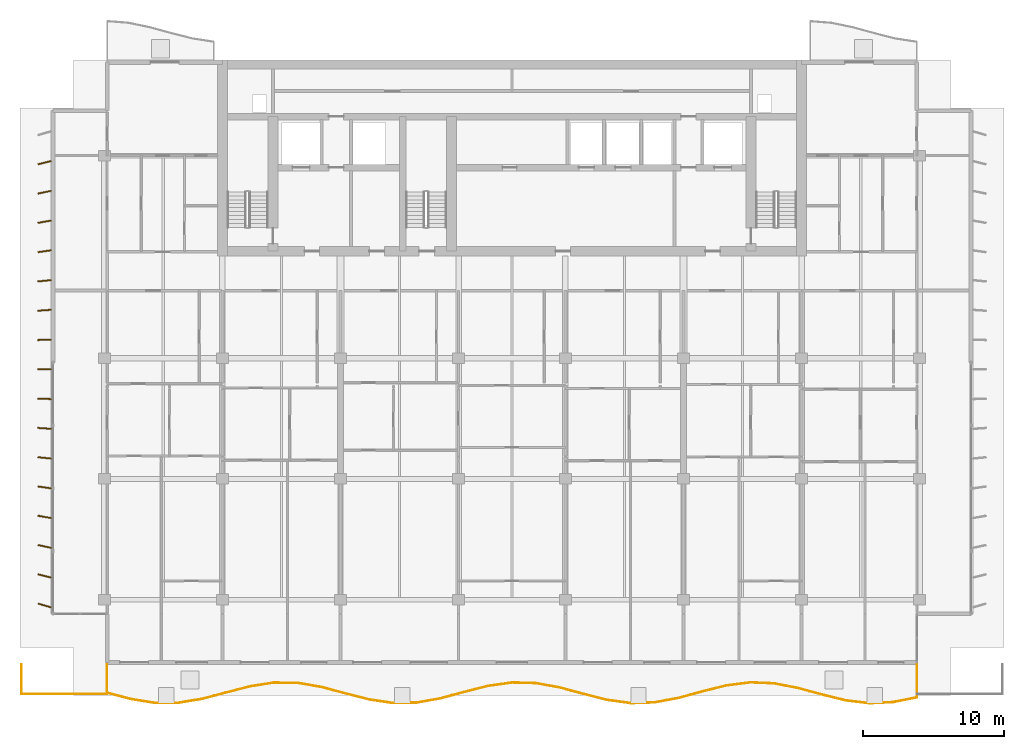
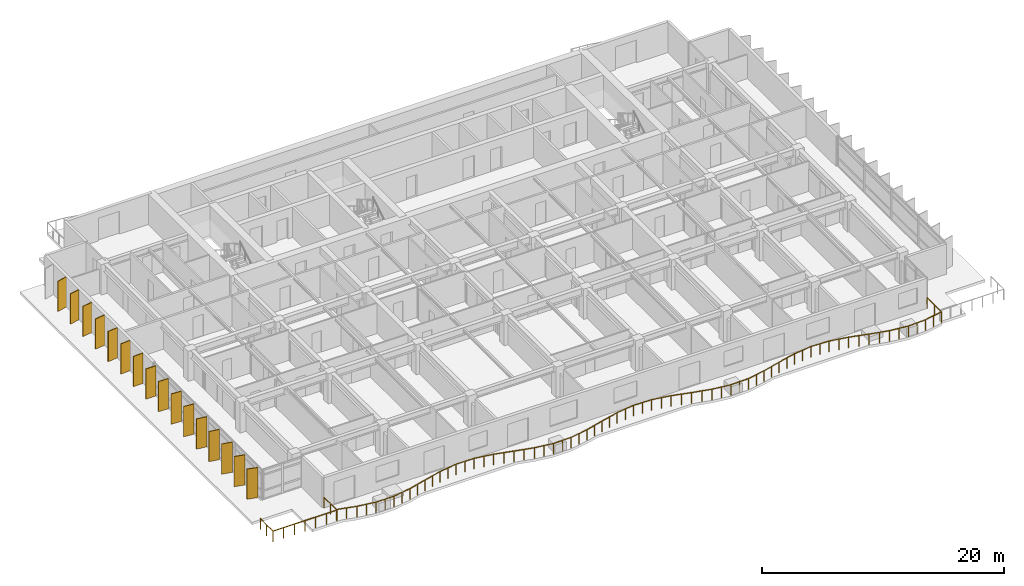
# One storey, part 14 of 17: 16 shading devices, 2 railings.
"""IFC4 building model written with IfcOpenShell, lengths in metres."""

from ifc_helpers import new_model, si_unit, direction, frame, origin, origin_2d, place, context, subcontext, project, spatial, rectangle, circle, extrude, material, material_profile, profile_set, type_object, element, save


model = new_model("IFC4")

# Units and contexts
model_context = context("Model", 3, precision=1e-05, world=origin(), true_north=direction((0.0, 1.0)))
body_context = subcontext(model_context, "Body", "Model", "MODEL_VIEW")
ifc_project = project(units=[si_unit("LENGTHUNIT", "METRE"), si_unit("AREAUNIT", "SQUARE_METRE"), si_unit("VOLUMEUNIT", "CUBIC_METRE"), si_unit("PLANEANGLEUNIT", "RADIAN"), si_unit("MASSUNIT", "GRAM", prefix="KILO")], contexts=[model_context])

# Site, building, storey
site_placement = place(None, origin())
site = spatial("IfcSite", under=ifc_project, at=site_placement, CompositionType="ELEMENT")
building_placement = place(site_placement, origin())
building = spatial("IfcBuilding", under=site, at=building_placement, Name="Caelmar Bay Residences", CompositionType="ELEMENT")
storey_placement = place(building_placement, frame((0.0, 0.0, 157.199951171875)))
storey = spatial("IfcBuildingStorey", under=building, at=storey_placement, Name="L43", CompositionType="ELEMENT", Elevation=157.199951171875)

# Railings
ifc_material_1 = material(Name="Anodised bronze handrail with laminated hurricane glass infill", Category="glass")
railing_type = type_object("IfcRailingType", Name="RL-BAL-1100", PredefinedType="BALUSTRADE", material=ifc_material_1)
railing_1_placement = place(storey_placement, frame((10.10009765625, 7.60009765625, 0.0)))
element("IfcRailing", 1, at=railing_1_placement, inside=storey, type_object=railing_type, Name="L43 south Balcony Balustrade", PredefinedType="BALUSTRADE", context=body_context, shape_type="SweptSolid", body=[
    extrude(circle(Radius=0.02392578125, at=origin_2d()), frame((0.0, 0.0, 1.076171875), z_axis=(0.0, -1.0, 0.0), x_axis=(1.0, 0.0, 0.0)), (0.0, 0.0, 1.0), 2.02001953125),
    extrude(circle(Radius=0.02392578125, at=origin_2d()), frame((0.0, -2.02001953125, 1.076171875), z_axis=(0.967316068749, -0.253573703567, 0.0), x_axis=(0.253573703567, 0.967316068749, 0.0)), (0.0, 0.0, 1.0), 1.751220703125),
    extrude(circle(Radius=0.02392578125, at=origin_2d()), frame((1.694091796875, -2.464111328125, 1.076171875), z_axis=(0.987379289036, -0.158373418172, 0.0), x_axis=(0.158373418172, 0.987379289036, 0.0)), (0.0, 0.0, 1.0), 1.7158203125),
    extrude(circle(Radius=0.02392578125, at=origin_2d()), frame((3.38818359375, -2.73583984375, 1.076171875), z_axis=(0.999992980303, 0.003746911297, 0.0), x_axis=(-0.003746911297, 0.999992980303, 0.0)), (0.0, 0.0, 1.0), 1.694091796875),
    extrude(circle(Radius=0.02392578125, at=origin_2d()), frame((5.082275390625, -2.7294921875, 1.076171875), z_axis=(0.98647449258, 0.163914842188, 0.0), x_axis=(-0.163914842188, 0.98647449258, 0.0)), (0.0, 0.0, 1.0), 1.71728515625),
    extrude(circle(Radius=0.02392578125, at=origin_2d()), frame((6.7763671875, -2.447998046875, 1.076171875), z_axis=(0.966801461741, 0.255528733367, 0.0), x_axis=(-0.255528733367, 0.966801461741, 0.0)), (0.0, 0.0, 1.0), 1.752197265625),
    extrude(circle(Radius=0.02392578125, at=origin_2d()), frame((8.470458984375, -2.000244140625, 1.076171875), z_axis=(0.967895162312, 0.251354241604, 0.0), x_axis=(-0.251354241604, 0.967895162312, 0.0)), (0.0, 0.0, 1.0), 1.750244140625),
    extrude(circle(Radius=0.02392578125, at=origin_2d()), frame((10.16455078125, -1.560302734375, 1.076171875), z_axis=(0.988276004953, 0.152677889798, 0.0), x_axis=(-0.152677889798, 0.988276004953, 0.0)), (0.0, 0.0, 1.0), 1.714111328125),
    extrude(circle(Radius=0.02392578125, at=origin_2d()), frame((11.858642578125, -1.298583984375, 1.076171875), z_axis=(0.999940025817, -0.010951929956, 0.0), x_axis=(0.010951929956, 0.999940025817, 0.0)), (0.0, 0.0, 1.0), 1.694091796875),
    extrude(circle(Radius=0.02392578125, at=origin_2d()), frame((13.552734375, -1.317138671875, 1.076171875), z_axis=(0.985520725167, -0.169555006607, 0.0), x_axis=(0.169555006607, 0.985520725167, 0.0)), (0.0, 0.0, 1.0), 1.71923828125),
    extrude(circle(Radius=0.02392578125, at=origin_2d()), frame((15.2470703125, -1.608642578125, 1.076171875), z_axis=(0.966318097906, -0.257350604544, 0.0), x_axis=(0.257350604544, 0.966318097906, 0.0)), (0.0, 0.0, 1.0), 1.753173828125),
    extrude(circle(Radius=0.02392578125, at=origin_2d()), frame((16.941162109375, -2.059814453125, 1.076171875), z_axis=(0.968503511983, -0.248999894131, 0.0), x_axis=(0.248999894131, 0.968503511983, 0.0)), (0.0, 0.0, 1.0), 1.749267578125),
    extrude(circle(Radius=0.02392578125, at=origin_2d()), frame((18.63525390625, -2.495361328125, 1.076171875), z_axis=(0.98918278696, -0.146688152152, 0.0), x_axis=(0.146688152152, 0.98918278696, 0.0)), (0.0, 0.0, 1.0), 1.712646484375),
    extrude(circle(Radius=0.02392578125, at=origin_2d()), frame((20.329345703125, -2.74658203125, 1.076171875), z_axis=(0.999835179989, 0.018155243216, 0.0), x_axis=(-0.018155243216, 0.999835179989, 0.0)), (0.0, 0.0, 1.0), 1.6943359375),
    extrude(circle(Radius=0.02392578125, at=origin_2d()), frame((22.0234375, -2.7158203125, 1.076171875), z_axis=(0.984577175613, 0.174950808118, 0.0), x_axis=(-0.174950808118, 0.984577175613, 0.0)), (0.0, 0.0, 1.0), 1.720703125),
    extrude(circle(Radius=0.02392578125, at=origin_2d()), frame((23.717529296875, -2.414794921875, 1.076171875), z_axis=(0.96590144292, 0.258910027934, 0.0), x_axis=(-0.258910027934, 0.96590144292, 0.0)), (0.0, 0.0, 1.0), 1.75390625),
    extrude(circle(Radius=0.02392578125, at=origin_2d()), frame((25.41162109375, -1.960693359375, 1.076171875), z_axis=(0.969106885695, 0.246641124101, 0.0), x_axis=(-0.246641124101, 0.969106885695, 0.0)), (0.0, 0.0, 1.0), 1.748046875),
    extrude(circle(Radius=0.02392578125, at=origin_2d()), frame((27.105712890625, -1.529541015625, 1.076171875), z_axis=(0.990054800784, 0.140682235707, 0.0), x_axis=(-0.140682235707, 0.990054800784, 0.0)), (0.0, 0.0, 1.0), 1.711181640625),
    extrude(circle(Radius=0.02392578125, at=origin_2d()), frame((28.7998046875, -1.288818359375, 1.076171875), z_axis=(0.999674829685, -0.025499703827, 0.0), x_axis=(0.025499703827, 0.999674829685, 0.0)), (0.0, 0.0, 1.0), 1.694580078125),
    extrude(circle(Radius=0.02392578125, at=origin_2d()), frame((30.493896484375, -1.33203125, 1.076171875), z_axis=(0.983660572564, -0.180032991376, 0.0), x_axis=(0.180032991376, 0.983660572564, 0.0)), (0.0, 0.0, 1.0), 1.72216796875),
    extrude(circle(Radius=0.02392578125, at=origin_2d()), frame((32.18798828125, -1.64208984375, 1.076171875), z_axis=(0.965492072584, -0.260432443786, 0.0), x_axis=(0.260432443786, 0.965492072584, 0.0)), (0.0, 0.0, 1.0), 1.7548828125),
    extrude(circle(Radius=0.02392578125, at=origin_2d()), frame((33.88232421875, -2.09912109375, 1.076171875), z_axis=(0.969771427493, -0.24401511924, 0.0), x_axis=(0.24401511924, 0.969771427493, 0.0)), (0.0, 0.0, 1.0), 1.746826171875),
    extrude(circle(Radius=0.02392578125, at=origin_2d()), frame((35.576416015625, -2.525390625, 1.076171875), z_axis=(0.990910806359, -0.134520533159, 0.0), x_axis=(0.134520533159, 0.990910806359, 0.0)), (0.0, 0.0, 1.0), 1.709716796875),
    extrude(circle(Radius=0.02392578125, at=origin_2d()), frame((37.2705078125, -2.75537109375, 1.076171875), z_axis=(0.999470034304, 0.032552273779, 0.0), x_axis=(-0.032552273779, 0.999470034304, 0.0)), (0.0, 0.0, 1.0), 1.695068359375),
    extrude(circle(Radius=0.02392578125, at=origin_2d()), frame((38.964599609375, -2.7001953125, 1.076171875), z_axis=(0.982667981804, 0.185374317363, 0.0), x_axis=(-0.185374317363, 0.982667981804, 0.0)), (0.0, 0.0, 1.0), 1.723876953125),
    extrude(circle(Radius=0.02392578125, at=origin_2d()), frame((40.65869140625, -2.380615234375, 1.076171875), z_axis=(0.965167121491, 0.261634148368, 0.0), x_axis=(-0.261634148368, 0.965167121491, 0.0)), (0.0, 0.0, 1.0), 1.755126953125),
    extrude(circle(Radius=0.02392578125, at=origin_2d()), frame((42.352783203125, -1.92138671875, 1.076171875), z_axis=(0.970503363819, 0.241087579139, 0.0), x_axis=(-0.241087579139, 0.970503363819, 0.0)), (0.0, 0.0, 1.0), 1.745849609375),
    extrude(circle(Radius=0.02392578125, at=origin_2d()), frame((44.047119140625, -1.50048828125, 1.076171875), z_axis=(0.991711614324, 0.128483750004, 0.0), x_axis=(-0.128483750004, 0.991711614324, 0.0)), (0.0, 0.0, 1.0), 1.708251953125),
    extrude(circle(Radius=0.02392578125, at=origin_2d()), frame((45.7412109375, -1.281005859375, 1.076171875), z_axis=(0.999204175887, -0.03988752799, 0.0), x_axis=(0.03988752799, 0.999204175887, 0.0)), (0.0, 0.0, 1.0), 1.695556640625),
    extrude(circle(Radius=0.02392578125, at=origin_2d()), frame((47.435302734375, -1.3486328125, 1.076171875), z_axis=(0.981727876523, -0.190290242675, 0.0), x_axis=(0.190290242675, 0.981727876523, 0.0)), (0.0, 0.0, 1.0), 1.7255859375),
    extrude(circle(Radius=0.02392578125, at=origin_2d()), frame((49.12939453125, -1.677001953125, 1.076171875), z_axis=(0.964850406209, -0.262799721535, 0.0), x_axis=(0.262799721535, 0.964850406209, 0.0)), (0.0, 0.0, 1.0), 1.755859375),
    extrude(circle(Radius=0.02392578125, at=origin_2d()), frame((50.823486328125, -2.138427734375, 1.076171875), z_axis=(0.971211455087, -0.238219036829, 0.0), x_axis=(0.238219036829, 0.971211455087, 0.0)), (0.0, 0.0, 1.0), 1.744384765625),
    extrude(circle(Radius=0.02392578125, at=origin_2d()), frame((52.517578125, -2.553955078125, 1.076171875), z_axis=(0.992528875656, -0.122009962665, 0.0), x_axis=(0.122009962665, 0.992528875656, 0.0)), (0.0, 0.0, 1.0), 1.706787109375),
    extrude(circle(Radius=0.02392578125, at=origin_2d()), frame((54.211669921875, -2.76220703125, 1.076171875), z_axis=(0.998891465735, 0.04707270634, 0.0), x_axis=(-0.04707270634, 0.998891465735, 0.0)), (0.0, 0.0, 1.0), 1.696044921875),
    extrude(circle(Radius=0.02392578125, at=origin_2d()), frame((55.90576171875, -2.682373046875, 1.076171875), z_axis=(0.980792119991, 0.195055933937, 0.0), x_axis=(-0.195055933937, 0.980792119991, 0.0)), (0.0, 0.0, 1.0), 1.727294921875),
    extrude(circle(Radius=0.02392578125, at=origin_2d()), frame((57.599853515625, -2.345458984375, 1.076171875), z_axis=(0.0, 1.0, 0.0), x_axis=(-1.0, 0.0, 0.0)), (0.0, 0.0, 1.0), 2.345458984375),
    extrude(circle(Radius=0.02099609375, at=origin_2d()), origin(), (0.0, 0.0, 1.0), 1.052001953125),
    extrude(circle(Radius=0.02099609375, at=origin_2d()), frame((0.0, -1.010009765625, 0.0)), (0.0, 0.0, 1.0), 1.052001953125),
    extrude(circle(Radius=0.02099609375, at=origin_2d()), frame((0.0, -2.02001953125, 0.0)), (0.0, 0.0, 1.0), 1.052001953125),
    extrude(circle(Radius=0.02099609375, at=origin_2d()), frame((0.84716796875, -2.2421875, 0.0)), (0.0, 0.0, 1.0), 1.052001953125),
    extrude(circle(Radius=0.02099609375, at=origin_2d()), frame((1.694091796875, -2.464111328125, 0.0)), (0.0, 0.0, 1.0), 1.052001953125),
    extrude(circle(Radius=0.02099609375, at=origin_2d()), frame((2.541015625, -2.60009765625, 0.0)), (0.0, 0.0, 1.0), 1.052001953125),
    extrude(circle(Radius=0.02099609375, at=origin_2d()), frame((3.38818359375, -2.73583984375, 0.0)), (0.0, 0.0, 1.0), 1.052001953125),
    extrude(circle(Radius=0.02099609375, at=origin_2d()), frame((4.2353515625, -2.732666015625, 0.0)), (0.0, 0.0, 1.0), 1.052001953125),
    extrude(circle(Radius=0.02099609375, at=origin_2d()), frame((5.082275390625, -2.7294921875, 0.0)), (0.0, 0.0, 1.0), 1.052001953125),
    extrude(circle(Radius=0.02099609375, at=origin_2d()), frame((5.92919921875, -2.5888671875, 0.0)), (0.0, 0.0, 1.0), 1.052001953125),
    extrude(circle(Radius=0.02099609375, at=origin_2d()), frame((6.7763671875, -2.447998046875, 0.0)), (0.0, 0.0, 1.0), 1.052001953125),
    extrude(circle(Radius=0.02099609375, at=origin_2d()), frame((7.62353515625, -2.22412109375, 0.0)), (0.0, 0.0, 1.0), 1.052001953125),
    extrude(circle(Radius=0.02099609375, at=origin_2d()), frame((8.470458984375, -2.000244140625, 0.0)), (0.0, 0.0, 1.0), 1.052001953125),
    extrude(circle(Radius=0.02099609375, at=origin_2d()), frame((9.3173828125, -1.7802734375, 0.0)), (0.0, 0.0, 1.0), 1.052001953125),
    extrude(circle(Radius=0.02099609375, at=origin_2d()), frame((10.16455078125, -1.560302734375, 0.0)), (0.0, 0.0, 1.0), 1.052001953125),
    extrude(circle(Radius=0.02099609375, at=origin_2d()), frame((11.01171875, -1.429443359375, 0.0)), (0.0, 0.0, 1.0), 1.052001953125),
    extrude(circle(Radius=0.02099609375, at=origin_2d()), frame((11.858642578125, -1.298583984375, 0.0)), (0.0, 0.0, 1.0), 1.052001953125),
    extrude(circle(Radius=0.02099609375, at=origin_2d()), frame((12.70556640625, -1.307861328125, 0.0)), (0.0, 0.0, 1.0), 1.052001953125),
    extrude(circle(Radius=0.02099609375, at=origin_2d()), frame((13.552734375, -1.317138671875, 0.0)), (0.0, 0.0, 1.0), 1.052001953125),
    extrude(circle(Radius=0.02099609375, at=origin_2d()), frame((14.39990234375, -1.462890625, 0.0)), (0.0, 0.0, 1.0), 1.052001953125),
    extrude(circle(Radius=0.02099609375, at=origin_2d()), frame((15.2470703125, -1.608642578125, 0.0)), (0.0, 0.0, 1.0), 1.052001953125),
    extrude(circle(Radius=0.02099609375, at=origin_2d()), frame((16.09423828125, -1.834228515625, 0.0)), (0.0, 0.0, 1.0), 1.052001953125),
    extrude(circle(Radius=0.02099609375, at=origin_2d()), frame((16.941162109375, -2.059814453125, 0.0)), (0.0, 0.0, 1.0), 1.052001953125),
    extrude(circle(Radius=0.02099609375, at=origin_2d()), frame((17.7880859375, -2.277587890625, 0.0)), (0.0, 0.0, 1.0), 1.052001953125),
    extrude(circle(Radius=0.02099609375, at=origin_2d()), frame((18.63525390625, -2.495361328125, 0.0)), (0.0, 0.0, 1.0), 1.052001953125),
    extrude(circle(Radius=0.02099609375, at=origin_2d()), frame((19.482421875, -2.62109375, 0.0)), (0.0, 0.0, 1.0), 1.052001953125),
    extrude(circle(Radius=0.02099609375, at=origin_2d()), frame((20.329345703125, -2.74658203125, 0.0)), (0.0, 0.0, 1.0), 1.052001953125),
    extrude(circle(Radius=0.02099609375, at=origin_2d()), frame((21.17626953125, -2.731201171875, 0.0)), (0.0, 0.0, 1.0), 1.052001953125),
    extrude(circle(Radius=0.02099609375, at=origin_2d()), frame((22.0234375, -2.7158203125, 0.0)), (0.0, 0.0, 1.0), 1.052001953125),
    extrude(circle(Radius=0.02099609375, at=origin_2d()), frame((22.87060546875, -2.5654296875, 0.0)), (0.0, 0.0, 1.0), 1.052001953125),
    extrude(circle(Radius=0.02099609375, at=origin_2d()), frame((23.717529296875, -2.414794921875, 0.0)), (0.0, 0.0, 1.0), 1.052001953125),
    extrude(circle(Radius=0.02099609375, at=origin_2d()), frame((24.564453125, -2.187744140625, 0.0)), (0.0, 0.0, 1.0), 1.052001953125),
    extrude(circle(Radius=0.02099609375, at=origin_2d()), frame((25.41162109375, -1.960693359375, 0.0)), (0.0, 0.0, 1.0), 1.052001953125),
    extrude(circle(Radius=0.02099609375, at=origin_2d()), frame((26.2587890625, -1.7451171875, 0.0)), (0.0, 0.0, 1.0), 1.052001953125),
    extrude(circle(Radius=0.02099609375, at=origin_2d()), frame((27.105712890625, -1.529541015625, 0.0)), (0.0, 0.0, 1.0), 1.052001953125),
    extrude(circle(Radius=0.02099609375, at=origin_2d()), frame((27.95263671875, -1.4091796875, 0.0)), (0.0, 0.0, 1.0), 1.052001953125),
    extrude(circle(Radius=0.02099609375, at=origin_2d()), frame((28.7998046875, -1.288818359375, 0.0)), (0.0, 0.0, 1.0), 1.052001953125),
    extrude(circle(Radius=0.02099609375, at=origin_2d()), frame((29.64697265625, -1.310546875, 0.0)), (0.0, 0.0, 1.0), 1.052001953125),
    extrude(circle(Radius=0.02099609375, at=origin_2d()), frame((30.493896484375, -1.33203125, 0.0)), (0.0, 0.0, 1.0), 1.052001953125),
    extrude(circle(Radius=0.02099609375, at=origin_2d()), frame((31.3408203125, -1.487060546875, 0.0)), (0.0, 0.0, 1.0), 1.052001953125),
    extrude(circle(Radius=0.02099609375, at=origin_2d()), frame((32.18798828125, -1.64208984375, 0.0)), (0.0, 0.0, 1.0), 1.052001953125),
    extrude(circle(Radius=0.02099609375, at=origin_2d()), frame((33.03515625, -1.87060546875, 0.0)), (0.0, 0.0, 1.0), 1.052001953125),
    extrude(circle(Radius=0.02099609375, at=origin_2d()), frame((33.88232421875, -2.09912109375, 0.0)), (0.0, 0.0, 1.0), 1.052001953125),
    extrude(circle(Radius=0.02099609375, at=origin_2d()), frame((34.7294921875, -2.312255859375, 0.0)), (0.0, 0.0, 1.0), 1.052001953125),
    extrude(circle(Radius=0.02099609375, at=origin_2d()), frame((35.576416015625, -2.525390625, 0.0)), (0.0, 0.0, 1.0), 1.052001953125),
    extrude(circle(Radius=0.02099609375, at=origin_2d()), frame((36.42333984375, -2.640380859375, 0.0)), (0.0, 0.0, 1.0), 1.052001953125),
    extrude(circle(Radius=0.02099609375, at=origin_2d()), frame((37.2705078125, -2.75537109375, 0.0)), (0.0, 0.0, 1.0), 1.052001953125),
    extrude(circle(Radius=0.02099609375, at=origin_2d()), frame((38.11767578125, -2.727783203125, 0.0)), (0.0, 0.0, 1.0), 1.052001953125),
    extrude(circle(Radius=0.02099609375, at=origin_2d()), frame((38.964599609375, -2.7001953125, 0.0)), (0.0, 0.0, 1.0), 1.052001953125),
    extrude(circle(Radius=0.02099609375, at=origin_2d()), frame((39.8115234375, -2.54052734375, 0.0)), (0.0, 0.0, 1.0), 1.052001953125),
    extrude(circle(Radius=0.02099609375, at=origin_2d()), frame((40.65869140625, -2.380615234375, 0.0)), (0.0, 0.0, 1.0), 1.052001953125),
    extrude(circle(Radius=0.02099609375, at=origin_2d()), frame((41.505859375, -2.15087890625, 0.0)), (0.0, 0.0, 1.0), 1.052001953125),
    extrude(circle(Radius=0.02099609375, at=origin_2d()), frame((42.352783203125, -1.92138671875, 0.0)), (0.0, 0.0, 1.0), 1.052001953125),
    extrude(circle(Radius=0.02099609375, at=origin_2d()), frame((43.199951171875, -1.7109375, 0.0)), (0.0, 0.0, 1.0), 1.052001953125),
    extrude(circle(Radius=0.02099609375, at=origin_2d()), frame((44.047119140625, -1.50048828125, 0.0)), (0.0, 0.0, 1.0), 1.052001953125),
    extrude(circle(Radius=0.02099609375, at=origin_2d()), frame((44.89404296875, -1.390625, 0.0)), (0.0, 0.0, 1.0), 1.052001953125),
    extrude(circle(Radius=0.02099609375, at=origin_2d()), frame((45.7412109375, -1.281005859375, 0.0)), (0.0, 0.0, 1.0), 1.052001953125),
    extrude(circle(Radius=0.02099609375, at=origin_2d()), frame((46.58837890625, -1.31494140625, 0.0)), (0.0, 0.0, 1.0), 1.052001953125),
    extrude(circle(Radius=0.02099609375, at=origin_2d()), frame((47.435302734375, -1.3486328125, 0.0)), (0.0, 0.0, 1.0), 1.052001953125),
    extrude(circle(Radius=0.02099609375, at=origin_2d()), frame((48.2822265625, -1.5126953125, 0.0)), (0.0, 0.0, 1.0), 1.052001953125),
    extrude(circle(Radius=0.02099609375, at=origin_2d()), frame((49.12939453125, -1.677001953125, 0.0)), (0.0, 0.0, 1.0), 1.052001953125),
    extrude(circle(Radius=0.02099609375, at=origin_2d()), frame((49.9765625, -1.90771484375, 0.0)), (0.0, 0.0, 1.0), 1.052001953125),
    extrude(circle(Radius=0.02099609375, at=origin_2d()), frame((50.823486328125, -2.138427734375, 0.0)), (0.0, 0.0, 1.0), 1.052001953125),
    extrude(circle(Radius=0.02099609375, at=origin_2d()), frame((51.67041015625, -2.34619140625, 0.0)), (0.0, 0.0, 1.0), 1.052001953125),
    extrude(circle(Radius=0.02099609375, at=origin_2d()), frame((52.517578125, -2.553955078125, 0.0)), (0.0, 0.0, 1.0), 1.052001953125),
    extrude(circle(Radius=0.02099609375, at=origin_2d()), frame((53.36474609375, -2.658203125, 0.0)), (0.0, 0.0, 1.0), 1.052001953125),
    extrude(circle(Radius=0.02099609375, at=origin_2d()), frame((54.211669921875, -2.76220703125, 0.0)), (0.0, 0.0, 1.0), 1.052001953125),
    extrude(circle(Radius=0.02099609375, at=origin_2d()), frame((55.05859375, -2.72216796875, 0.0)), (0.0, 0.0, 1.0), 1.052001953125),
    extrude(circle(Radius=0.02099609375, at=origin_2d()), frame((55.90576171875, -2.682373046875, 0.0)), (0.0, 0.0, 1.0), 1.052001953125),
    extrude(circle(Radius=0.02099609375, at=origin_2d()), frame((56.7529296875, -2.513916015625, 0.0)), (0.0, 0.0, 1.0), 1.052001953125),
    extrude(circle(Radius=0.02099609375, at=origin_2d()), frame((57.599853515625, -2.345458984375, 0.0)), (0.0, 0.0, 1.0), 1.052001953125),
    extrude(circle(Radius=0.02099609375, at=origin_2d()), frame((57.599853515625, -1.1728515625, 0.0)), (0.0, 0.0, 1.0), 1.052001953125),
    extrude(circle(Radius=0.02099609375, at=origin_2d()), frame((57.599853515625, 0.0, 0.0)), (0.0, 0.0, 1.0), 1.052001953125),
])
railing_2_placement = place(storey_placement, frame((4.0, 7.60009765625, 0.0)))
element("IfcRailing", 2, at=railing_2_placement, inside=storey, type_object=railing_type, Name="L43 West Planted Terrace Balustrade", PredefinedType="BALUSTRADE", context=body_context, shape_type="SweptSolid", body=[
    extrude(circle(Radius=0.02392578125, at=origin_2d()), frame((0.0, 0.0, 1.076171875), z_axis=(0.0, -1.0, 0.0), x_axis=(1.0, 0.0, 0.0)), (0.0, 0.0, 1.0), 2.10009765625),
    extrude(circle(Radius=0.02392578125, at=origin_2d()), frame((0.0, -2.10009765625, 1.076171875), z_axis=(1.0, 0.0, 0.0), x_axis=(0.0, 1.0, 0.0)), (0.0, 0.0, 1.0), 6.10009765625),
    extrude(circle(Radius=0.02099609375, at=origin_2d()), origin(), (0.0, 0.0, 1.0), 1.052001953125),
    extrude(circle(Radius=0.02099609375, at=origin_2d()), frame((0.0, -1.050048828125, 0.0)), (0.0, 0.0, 1.0), 1.052001953125),
    extrude(circle(Radius=0.02099609375, at=origin_2d()), frame((0.0, -2.10009765625, 0.0)), (0.0, 0.0, 1.0), 1.052001953125),
    extrude(circle(Radius=0.02099609375, at=origin_2d()), frame((1.0166015625, -2.10009765625, 0.0)), (0.0, 0.0, 1.0), 1.052001953125),
    extrude(circle(Radius=0.02099609375, at=origin_2d()), frame((2.033447265625, -2.10009765625, 0.0)), (0.0, 0.0, 1.0), 1.052001953125),
    extrude(circle(Radius=0.02099609375, at=origin_2d()), frame((3.050048828125, -2.10009765625, 0.0)), (0.0, 0.0, 1.0), 1.052001953125),
    extrude(circle(Radius=0.02099609375, at=origin_2d()), frame((4.066650390625, -2.10009765625, 0.0)), (0.0, 0.0, 1.0), 1.052001953125),
    extrude(circle(Radius=0.02099609375, at=origin_2d()), frame((5.08349609375, -2.10009765625, 0.0)), (0.0, 0.0, 1.0), 1.052001953125),
    extrude(circle(Radius=0.02099609375, at=origin_2d()), frame((6.10009765625, -2.10009765625, 0.0)), (0.0, 0.0, 1.0), 1.052001953125),
])

# Shading devices
ifc_material_2 = material(Name="Anodised architectural bronze aluminium 6063-T6", Category="aluminium")
ifc_material_profile = material_profile(ifc_material_2, rectangle(XDim=0.074951171875, YDim=0.949951171875, at=origin_2d()), Name="BRONZE-FIN-75X950")
ifc_profile_set = profile_set([ifc_material_profile], Name="Anodised architectural bronze aluminium 6063-T6")
shading_device_type = type_object("IfcShadingDeviceType", Name="SHD-FIN-950", PredefinedType="USERDEFINED", material=ifc_profile_set)
for number, where, z_axis, x_axis, name in (
    (3, (5.64990234375, 11.800048828125, 0.0), (0.0, 0.0, 1.0), (0.275637355817, 0.961261695938, 0.0), "L43 West Bronze Solar Fin 1"),
    (4, (5.64990234375, 13.89990234375, 0.0), (0.0, 0.0, 1.0), (0.2419218956, 0.970295726276, 0.0), "L43 West Bronze Solar Fin 2"),
    (5, (5.64990234375, 16.0, 0.0), (0.0, 0.0, 1.0), (0.207911690818, 0.978147600734, 0.0), "L43 West Bronze Solar Fin 3"),
    (6, (5.64990234375, 18.10009765625, 0.0), (0.0, 0.0, 1.0), (0.173648177667, 0.984807753012, 0.0), "L43 West Bronze Solar Fin 4"),
    (7, (5.64990234375, 20.199951171875, 0.0), (0.0, 0.0, 1.0), (0.13917310096, 0.990268068742, 0.0), "L43 West Bronze Solar Fin 5"),
    (8, (5.64990234375, 22.300048828125, 0.0), (0.0, 0.0, 1.0), (0.104528463268, 0.994521895368, 0.0), "L43 West Bronze Solar Fin 6"),
    (9, (5.64990234375, 24.39990234375, 0.0), (0.0, 0.0, 1.0), (0.069756473744, 0.99756405026, 0.0), "L43 West Bronze Solar Fin 7"),
    (10, (5.64990234375, 26.5, 0.0), (0.0, 0.0, 1.0), (0.034899496703, 0.999390827019, 0.0), "L43 West Bronze Solar Fin 8"),
    (11, (5.64990234375, 28.60009765625, 0.0), (0.0, 0.0, 1.0), (0.0, 1.0, 0.0), "L43 West Bronze Solar Fin 9"),
    (12, (5.64990234375, 30.699951171875, 0.0), (0.0, 0.0, 1.0), (-0.034899496703, 0.999390827019, 0.0), "L43 West Bronze Solar Fin 10"),
    (13, (5.64990234375, 32.800048828125, 0.0), (0.0, 0.0, 1.0), (-0.069756473744, 0.99756405026, 0.0), "L43 West Bronze Solar Fin 11"),
    (14, (5.64990234375, 34.89990234375, 0.0), (0.0, 0.0, 1.0), (-0.104528463268, 0.994521895368, 0.0), "L43 West Bronze Solar Fin 12"),
    (15, (5.64990234375, 37.0, 0.0), (0.0, 0.0, 1.0), (-0.13917310096, 0.990268068742, 0.0), "L43 West Bronze Solar Fin 13"),
    (16, (5.64990234375, 39.10009765625, 0.0), (0.0, 0.0, 1.0), (-0.173648177667, 0.984807753012, 0.0), "L43 West Bronze Solar Fin 14"),
    (17, (5.64990234375, 41.199951171875, 0.0), (0.0, 0.0, 1.0), (-0.207911690818, 0.978147600734, 0.0), "L43 West Bronze Solar Fin 15"),
    (18, (5.64990234375, 43.300048828125, 0.0), (0.0, 0.0, 1.0), (-0.2419218956, 0.970295726276, 0.0), "L43 West Bronze Solar Fin 16"),
):
    element("IfcShadingDevice", number, at=place(storey_placement, frame(where, z_axis=z_axis, x_axis=x_axis)), inside=storey, type_object=shading_device_type, Name=name, ObjectType="FIN", PredefinedType="USERDEFINED", context=body_context, shape_type="SweptSolid", body=[
        extrude(rectangle(XDim=0.074951171875, YDim=0.949951171875, at=origin_2d()), origin(), (0.0, 0.0, 1.0), 3.050048828125),
    ])

save(model, "model.ifc")
